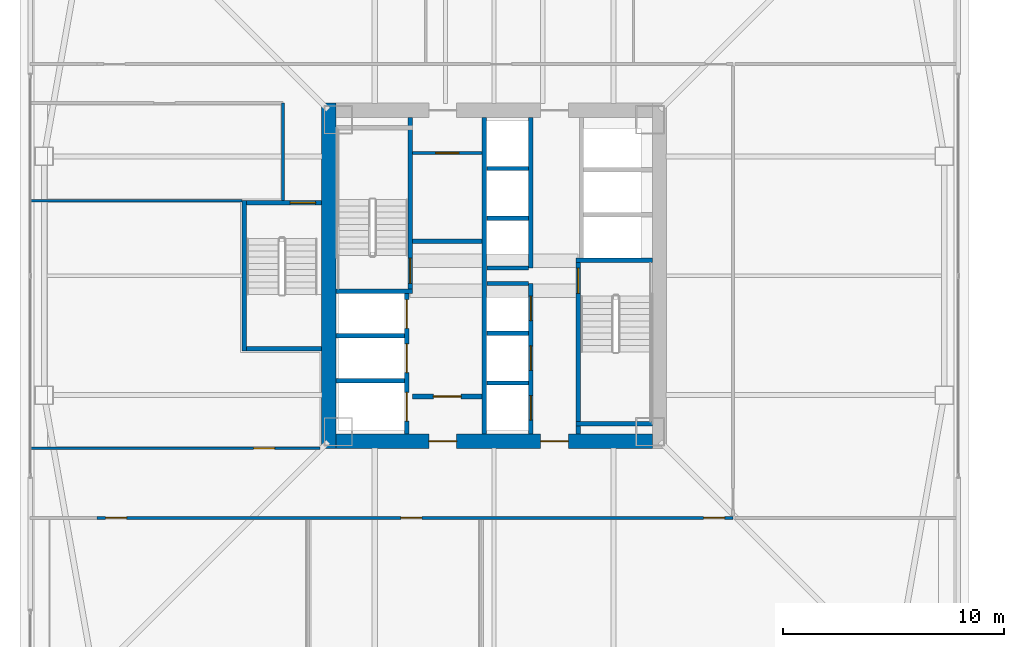
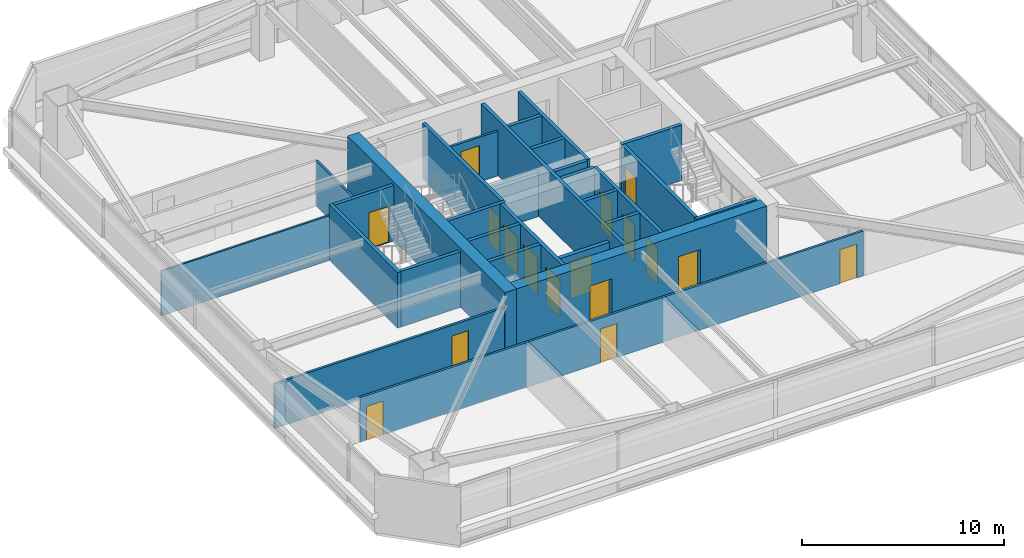
# One storey, part 38 of 48: 29 walls, 17 doors, 17 openings.
"""IFC4 building model written with IfcOpenShell, lengths in metres."""

from ifc_helpers import new_model, si_unit, direction, frame, frame_2d, origin, place, context, subcontext, project, spatial, rectangle, extrude, material, layer, layer_set, type_object, element, fill, save


model = new_model("IFC4")

# Units and contexts
model_context = context("Model", 3, precision=1e-05, world=origin(), true_north=direction((0.0, 1.0)))
body_context = subcontext(model_context, "Body", "Model", "MODEL_VIEW")
ifc_project = project(units=[si_unit("LENGTHUNIT", "METRE"), si_unit("AREAUNIT", "SQUARE_METRE"), si_unit("VOLUMEUNIT", "CUBIC_METRE"), si_unit("PLANEANGLEUNIT", "RADIAN"), si_unit("MASSUNIT", "GRAM", prefix="KILO")], contexts=[model_context])

# Site, building, storey
site_placement = place(None, origin())
site = spatial("IfcSite", under=ifc_project, at=site_placement, CompositionType="ELEMENT")
building_placement = place(site_placement, origin())
building = spatial("IfcBuilding", under=site, at=building_placement, Name="Tashvorn Skyway Center", CompositionType="ELEMENT")
storey_placement = place(building_placement, frame((0.0, 0.0, 77.85009765625)))
storey = spatial("IfcBuildingStorey", under=building, at=storey_placement, Name="L20", CompositionType="ELEMENT", Elevation=77.85009765625)

# Wall
ifc_material_1 = material(Name="Concrete C60/75", Category="concrete")
ifc_layer_1 = layer(ifc_material_1, 0.64990234375)
ifc_layer_set_1 = layer_set([ifc_layer_1], Name="Concrete C60/75")
wall_type_1 = type_object("IfcWallType", Name="WALL-CORE-650", PredefinedType="SHEAR", material=ifc_layer_set_1)
wall_1_placement = place(storey_placement, frame((34.52490234375, 24.199951171875, 0.0), z_axis=(0.0, 0.0, 1.0), x_axis=(0.0, 1.0, 0.0)))
element("IfcWall", 1, at=wall_1_placement, inside=storey, type_object=wall_type_1, Name="Tower 1 L20 West Core Shear Wall", PredefinedType="SHEAR", context=body_context, shape_type="SweptSolid", body=[
    extrude(rectangle(XDim=15.60009765625, YDim=0.64990234375, at=frame_2d((7.800048828125, 0.0))), origin(), (0.0, 0.0, 1.0), 3.5498046875),
])

# Wall, openings, doors
wall_2_placement = place(storey_placement, frame((49.14990234375, 24.52490234375, 0.0), z_axis=(0.0, 0.0, 1.0), x_axis=(-1.0, 0.0, 0.0)))
wall_2 = element("IfcWall", 2, at=wall_2_placement, inside=storey, type_object=wall_type_1, Name="Tower 1 L20 South Core Shear Wall", PredefinedType="SHEAR", context=body_context, shape_type="SweptSolid", body=[
    extrude(rectangle(XDim=14.2998046875, YDim=0.64990234375, at=frame_2d((7.14990234375, 0.0))), origin(), (0.0, 0.0, 1.0), 3.5498046875),
])
opening_1_placement = place(wall_2_placement, frame((8.85009765625, 0.0, 0.0)))
opening_1 = element("IfcOpeningElement", 3, at=opening_1_placement, cuts=wall_2, Name="Opening D-FFL-1250", PredefinedType="OPENING", context=body_context, shape_type="SweptSolid", body=[
    extrude(rectangle(XDim=1.25, YDim=2.25, at=frame_2d((0.625, 1.125))), frame((0.0, 0.3349609375, 0.0), z_axis=(0.0, -1.0, 0.0), x_axis=(1.0, 0.0, 0.0)), (0.0, 0.0, 1.0), 0.669921875),
])
opening_2_placement = place(wall_2_placement, frame((3.800048828125, 0.0, 0.0)))
opening_2 = element("IfcOpeningElement", 4, at=opening_2_placement, cuts=wall_2, Name="Opening D-FFL-1250", PredefinedType="OPENING", context=body_context, shape_type="SweptSolid", body=[
    extrude(rectangle(XDim=1.25, YDim=2.25, at=frame_2d((0.625, 1.125))), frame((0.0, 0.3349609375, 0.0), z_axis=(0.0, -1.0, 0.0), x_axis=(1.0, 0.0, 0.0)), (0.0, 0.0, 1.0), 0.669921875),
])
ifc_material_2 = material(Name="Hollow galvanized steel fire door assembly", Category="steel")
door_type_1 = type_object("IfcDoorType", Name="DOOR-FFL-1250", OperationType="NOTDEFINED", PredefinedType="DOOR", material=ifc_material_2)
door_1_placement = place(opening_1_placement, origin())
door_1 = element("IfcDoor", 5, at=door_1_placement, inside=storey, type_object=door_type_1, Name="Tower 1 L20 Core South Firefighting Exit Door", OperationType="SINGLE_SWING_LEFT", OverallHeight=2.25, OverallWidth=1.25, PredefinedType="DOOR", context=body_context, shape_type="SweptSolid", body=[
    extrude(rectangle(XDim=1.25, YDim=2.25, at=frame_2d((0.625, 1.125))), frame((0.0, 0.02490234375, 0.0), z_axis=(0.0, -1.0, 0.0), x_axis=(1.0, 0.0, 0.0)), (0.0, 0.0, 1.0), 0.050048828125),
])
fill(opening_1, door_1)
door_2_placement = place(opening_2_placement, origin())
door_2 = element("IfcDoor", 6, at=door_2_placement, inside=storey, type_object=door_type_1, Name="Tower 1 L20 Core South Lift Lobby Door", OperationType="SINGLE_SWING_RIGHT", OverallHeight=2.25, OverallWidth=1.25, PredefinedType="DOOR", context=body_context, shape_type="SweptSolid", body=[
    extrude(rectangle(XDim=1.25, YDim=2.25, at=frame_2d((0.625, 1.125))), frame((0.0, 0.02490234375, 0.0), z_axis=(0.0, -1.0, 0.0), x_axis=(1.0, 0.0, 0.0)), (0.0, 0.0, 1.0), 0.050048828125),
])
fill(opening_2, door_2)

# Wall
ifc_material_3 = material(Name="Concrete C40/50", Category="concrete")
ifc_layer_2 = layer(ifc_material_3, 0.219970703125)
ifc_layer_set_2 = layer_set([ifc_layer_2], Name="Concrete C40/50")
wall_type_2 = type_object("IfcWallType", Name="WALL-FFL-220", PredefinedType="SOLIDWALL", material=ifc_layer_set_2)
wall_3_placement = place(storey_placement, frame((38.300048828125, 33.56005859375, 0.0), z_axis=(0.0, 0.0, 1.0), x_axis=(1.0, 0.0, 0.0)))
element("IfcWall", 7, at=wall_3_placement, inside=storey, type_object=wall_type_2, Name="Tower 1 L20 Firefighting Lobby North Wall", PredefinedType="SOLIDWALL", context=body_context, shape_type="SweptSolid", body=[
    extrude(rectangle(XDim=3.14990234375, YDim=0.219970703125, at=frame_2d((1.574951171875, 0.0))), origin(), (0.0, 0.0, 1.0), 2.702880859375),
])

# Wall, opening, door
wall_4_placement = place(storey_placement, frame((38.300048828125, 26.5400390625, 0.0), z_axis=(0.0, 0.0, 1.0), x_axis=(1.0, 0.0, 0.0)))
wall_4 = element("IfcWall", 8, at=wall_4_placement, inside=storey, type_object=wall_type_2, Name="Tower 1 L20 Firefighting Lobby South Wall", PredefinedType="SOLIDWALL", context=body_context, shape_type="SweptSolid", body=[
    extrude(rectangle(XDim=3.14990234375, YDim=0.219970703125, at=frame_2d((1.574951171875, 0.0))), origin(), (0.0, 0.0, 1.0), 2.702880859375),
])
opening_3_placement = place(wall_4_placement, frame((0.949951171875, 0.0, 0.0)))
opening_3 = element("IfcOpeningElement", 9, at=opening_3_placement, cuts=wall_4, Name="Opening D-FFL-1250", PredefinedType="OPENING", context=body_context, shape_type="SweptSolid", body=[
    extrude(rectangle(XDim=1.25, YDim=2.25, at=frame_2d((0.625, 1.125))), frame((0.0, 0.119873046875, 0.0), z_axis=(0.0, -1.0, 0.0), x_axis=(1.0, 0.0, 0.0)), (0.0, 0.0, 1.0), 0.239990234375),
])
door_3_placement = place(opening_3_placement, origin())
door_3 = element("IfcDoor", 10, at=door_3_placement, inside=storey, type_object=door_type_1, Name="Tower 1 L20 Firefighting Lobby Egress Door", OperationType="SINGLE_SWING_LEFT", OverallHeight=2.25, OverallWidth=1.25, PredefinedType="DOOR", context=body_context, shape_type="SweptSolid", body=[
    extrude(rectangle(XDim=1.25, YDim=2.25, at=frame_2d((0.625, 1.125))), frame((0.0, 0.02490234375, 0.0), z_axis=(0.0, -1.0, 0.0), x_axis=(1.0, 0.0, 0.0)), (0.0, 0.0, 1.0), 0.050048828125),
])
fill(opening_3, door_3)

# Walls
ifc_material_4 = material(Name="Gypsum board on cold-formed steel stud framing", Category="steel")
ifc_layer_3 = layer(ifc_material_4, 0.110107421875)
ifc_layer_set_3 = layer_set([ifc_layer_3], Name="Gypsum board on cold-formed steel stud framing")
wall_type_3 = type_object("IfcWallType", Name="WALL-PART-110", PredefinedType="PARTITIONING", material=ifc_layer_set_3)
wall_5_placement = place(storey_placement, frame((30.60009765625, 35.39990234375, 0.0), z_axis=(0.0, 0.0, 1.0), x_axis=(-1.0, 0.0, 0.0)))
element("IfcWall", 11, at=wall_5_placement, inside=storey, type_object=wall_type_3, Name="Tower 1 L20 West Suite Partition 1", PredefinedType="PARTITIONING", context=body_context, shape_type="SweptSolid", body=[
    extrude(rectangle(XDim=9.580078125, YDim=0.110107421875, at=frame_2d((4.7900390625, 0.0))), origin(), (0.0, 0.0, 1.0), 2.702880859375),
])
ifc_layer_4 = layer(ifc_material_4, 0.135009765625)
ifc_layer_set_4 = layer_set([ifc_layer_4], Name="Gypsum board on cold-formed steel stud framing")
wall_type_4 = type_object("IfcWallType", Name="WALL-PART-135", PredefinedType="PARTITIONING", material=ifc_layer_set_4)
wall_6_placement = place(storey_placement, frame((32.449951171875, 35.39990234375, 0.0), z_axis=(0.0, 0.0, 1.0), x_axis=(0.0, 1.0, 0.0)))
element("IfcWall", 12, at=wall_6_placement, inside=storey, type_object=wall_type_4, Name="Tower 1 L20 Stair 3 Access Corridor Wall", PredefinedType="PARTITIONING", context=body_context, shape_type="SweptSolid", body=[
    extrude(rectangle(XDim=4.400146484375, YDim=0.135009765625, at=frame_2d((2.2001953125, 0.0))), origin(), (0.0, 0.0, 1.0), 2.702880859375),
])

# Wall, openings, doors
wall_7_placement = place(storey_placement, frame((52.800048828125, 21.050048828125, 0.0), z_axis=(0.0, 0.0, 1.0), x_axis=(-1.0, 0.0, 0.0)))
wall_7 = element("IfcWall", 13, at=wall_7_placement, inside=storey, type_object=wall_type_4, Name="Tower 1 L20 South Suite Wall", PredefinedType="PARTITIONING", context=body_context, shape_type="SweptSolid", body=[
    extrude(rectangle(XDim=28.75, YDim=0.135009765625, at=frame_2d((14.375, 0.0))), origin(), (0.0, 0.0, 1.0), 2.702880859375),
])
opening_4_placement = place(wall_7_placement, frame((27.419921875, 0.0, 0.0)))
opening_4 = element("IfcOpeningElement", 14, at=opening_4_placement, cuts=wall_7, Name="Opening D-INT-950", PredefinedType="OPENING", context=body_context, shape_type="SweptSolid", body=[
    extrude(rectangle(XDim=0.949951171875, YDim=2.050048828125, at=frame_2d((0.47509765625, 1.02490234375))), frame((0.0, 0.077392578125, 0.0), z_axis=(0.0, -1.0, 0.0), x_axis=(1.0, 0.0, 0.0)), (0.0, 0.0, 1.0), 0.155029296875),
])
opening_5_placement = place(wall_7_placement, frame((14.063720703125, 0.0, 0.0)))
opening_5 = element("IfcOpeningElement", 15, at=opening_5_placement, cuts=wall_7, Name="Opening D-INT-950", PredefinedType="OPENING", context=body_context, shape_type="SweptSolid", body=[
    extrude(rectangle(XDim=0.949951171875, YDim=2.050048828125, at=frame_2d((0.47509765625, 1.02490234375))), frame((0.0, 0.077392578125, 0.0), z_axis=(0.0, -1.0, 0.0), x_axis=(1.0, 0.0, 0.0)), (0.0, 0.0, 1.0), 0.155029296875),
])
opening_6_placement = place(wall_7_placement, frame((0.3798828125, 0.0, 0.0)))
opening_6 = element("IfcOpeningElement", 16, at=opening_6_placement, cuts=wall_7, Name="Opening D-INT-950", PredefinedType="OPENING", context=body_context, shape_type="SweptSolid", body=[
    extrude(rectangle(XDim=0.949951171875, YDim=2.050048828125, at=frame_2d((0.47509765625, 1.02490234375))), frame((0.0, 0.077392578125, 0.0), z_axis=(0.0, -1.0, 0.0), x_axis=(1.0, 0.0, 0.0)), (0.0, 0.0, 1.0), 0.155029296875),
])
ifc_material_5 = material(Name="Solid-core architectural oak veneer door")
door_type_2 = type_object("IfcDoorType", Name="DOOR-INT-950", OperationType="NOTDEFINED", PredefinedType="DOOR", material=ifc_material_5)
door_4_placement = place(opening_4_placement, origin())
door_4 = element("IfcDoor", 17, at=door_4_placement, inside=storey, type_object=door_type_2, Name="Tower 1 L20 Operations Control Room Door", OperationType="SINGLE_SWING_RIGHT", OverallHeight=2.050048828125, OverallWidth=0.949951171875, PredefinedType="DOOR", context=body_context, shape_type="SweptSolid", body=[
    extrude(rectangle(XDim=0.949951171875, YDim=2.050048828125, at=frame_2d((0.47509765625, 1.02490234375))), frame((0.0, 0.02490234375, 0.0), z_axis=(0.0, -1.0, 0.0), x_axis=(1.0, 0.0, 0.0)), (0.0, 0.0, 1.0), 0.050048828125),
])
fill(opening_4, door_4)
door_5_placement = place(opening_5_placement, origin())
door_5 = element("IfcDoor", 18, at=door_5_placement, inside=storey, type_object=door_type_2, Name="Tower 1 L20 Corporate Office Door", OperationType="SINGLE_SWING_LEFT", OverallHeight=2.050048828125, OverallWidth=0.949951171875, PredefinedType="DOOR", context=body_context, shape_type="SweptSolid", body=[
    extrude(rectangle(XDim=0.949951171875, YDim=2.050048828125, at=frame_2d((0.47509765625, 1.02490234375))), frame((0.0, 0.02490234375, 0.0), z_axis=(0.0, -1.0, 0.0), x_axis=(1.0, 0.0, 0.0)), (0.0, 0.0, 1.0), 0.050048828125),
])
fill(opening_5, door_5)
door_6_placement = place(opening_6_placement, origin())
door_6 = element("IfcDoor", 19, at=door_6_placement, inside=storey, type_object=door_type_2, Name="Tower 1 L20 Corporate Office Door", OperationType="SINGLE_SWING_RIGHT", OverallHeight=2.050048828125, OverallWidth=0.949951171875, PredefinedType="DOOR", context=body_context, shape_type="SweptSolid", body=[
    extrude(rectangle(XDim=0.949951171875, YDim=2.050048828125, at=frame_2d((0.47509765625, 1.02490234375))), frame((0.0, 0.02490234375, 0.0), z_axis=(0.0, -1.0, 0.0), x_axis=(1.0, 0.0, 0.0)), (0.0, 0.0, 1.0), 0.050048828125),
])
fill(opening_6, door_6)

# Wall, opening, door
wall_8_placement = place(storey_placement, frame((21.02001953125, 24.199951171875, 0.0), z_axis=(0.0, 0.0, 1.0), x_axis=(1.0, 0.0, 0.0)))
wall_8 = element("IfcWall", 20, at=wall_8_placement, inside=storey, type_object=wall_type_4, Name="Tower 1 L20 West Suite South Wall", PredefinedType="PARTITIONING", context=body_context, shape_type="SweptSolid", body=[
    extrude(rectangle(XDim=13.10009765625, YDim=0.135009765625, at=frame_2d((6.550048828125, 0.0))), origin(), (0.0, 0.0, 1.0), 2.702880859375),
])
opening_7_placement = place(wall_8_placement, frame((10.10498046875, 0.0, 0.0)))
opening_7 = element("IfcOpeningElement", 21, at=opening_7_placement, cuts=wall_8, Name="Opening D-INT-950", PredefinedType="OPENING", context=body_context, shape_type="SweptSolid", body=[
    extrude(rectangle(XDim=0.949951171875, YDim=2.050048828125, at=frame_2d((0.47509765625, 1.02490234375))), frame((0.0, 0.077392578125, 0.0), z_axis=(0.0, -1.0, 0.0), x_axis=(1.0, 0.0, 0.0)), (0.0, 0.0, 1.0), 0.155029296875),
])
door_7_placement = place(opening_7_placement, origin())
door_7 = element("IfcDoor", 22, at=door_7_placement, inside=storey, type_object=door_type_2, Name="Tower 1 L20 Public Restroom Door", OperationType="SINGLE_SWING_LEFT", OverallHeight=2.050048828125, OverallWidth=0.949951171875, PredefinedType="DOOR", context=body_context, shape_type="SweptSolid", body=[
    extrude(rectangle(XDim=0.949951171875, YDim=2.050048828125, at=frame_2d((0.47509765625, 1.02490234375))), frame((0.0, 0.02490234375, 0.0), z_axis=(0.0, -1.0, 0.0), x_axis=(1.0, 0.0, 0.0)), (0.0, 0.0, 1.0), 0.050048828125),
])
fill(opening_7, door_7)

ifc_layer_5 = layer(ifc_material_4, 0.135009765625)
ifc_layer_set_5 = layer_set([ifc_layer_5], Name="Gypsum board on cold-formed steel stud framing")
wall_type_5 = type_object("IfcWallType", Name="WALL-RATED-135", PredefinedType="PARTITIONING", material=ifc_layer_set_5)
wall_9_placement = place(storey_placement, frame((38.300048828125, 37.550048828125, 0.0), z_axis=(0.0, 0.0, 1.0), x_axis=(1.0, 0.0, 0.0)))
wall_9 = element("IfcWall", 23, at=wall_9_placement, inside=storey, type_object=wall_type_5, Name="Tower 1 L20 Core Service Lobby Wall", PredefinedType="PARTITIONING", context=body_context, shape_type="SweptSolid", body=[
    extrude(rectangle(XDim=3.14990234375, YDim=0.135009765625, at=frame_2d((1.574951171875, 0.0))), origin(), (0.0, 0.0, 1.0), 2.702880859375),
])
opening_8_placement = place(wall_9_placement, frame((1.050048828125, 0.0, 0.0)))
opening_8 = element("IfcOpeningElement", 24, at=opening_8_placement, cuts=wall_9, Name="Opening D-RT-1050", PredefinedType="OPENING", context=body_context, shape_type="SweptSolid", body=[
    extrude(rectangle(XDim=1.050048828125, YDim=2.199951171875, at=frame_2d((0.52490234375, 1.10009765625))), frame((0.0, 0.077392578125, 0.0), z_axis=(0.0, -1.0, 0.0), x_axis=(1.0, 0.0, 0.0)), (0.0, 0.0, 1.0), 0.155029296875),
])
door_type_3 = type_object("IfcDoorType", Name="DOOR-RATED-1050", OperationType="NOTDEFINED", PredefinedType="DOOR", material=ifc_material_2)
door_8_placement = place(opening_8_placement, origin())
door_8 = element("IfcDoor", 25, at=door_8_placement, inside=storey, type_object=door_type_3, Name="Tower 1 L20 Core Accessible WC Door", OperationType="SINGLE_SWING_LEFT", OverallHeight=2.199951171875, OverallWidth=1.050048828125, PredefinedType="DOOR", context=body_context, shape_type="SweptSolid", body=[
    extrude(rectangle(XDim=1.050048828125, YDim=2.199951171875, at=frame_2d((0.52490234375, 1.10009765625))), frame((0.0, 0.02490234375, 0.0), z_axis=(0.0, -1.0, 0.0), x_axis=(1.0, 0.0, 0.0)), (0.0, 0.0, 1.0), 0.050048828125),
])
fill(opening_8, door_8)

# Walls
ifc_layer_6 = layer(ifc_material_3, 0.199951171875)
ifc_layer_set_6 = layer_set([ifc_layer_6], Name="Concrete C40/50")
wall_type_6 = type_object("IfcWallType", Name="WALL-SHAFT-200", PredefinedType="SOLIDWALL", material=ifc_layer_set_6)
for number, where, z_axis, x_axis, name in (
    (26, (34.85009765625, 27.25, 0.0), (0.0, 0.0, 1.0), (1.0, 0.0, 0.0), "Tower 1 L20 FSAE Shaft Divider"),
    (27, (34.85009765625, 29.280029296875, 0.0), (0.0, 0.0, 1.0), (1.0, 0.0, 0.0), "Tower 1 L20 FSAE Shaft Divider"),
):
    element("IfcWall", number, at=place(storey_placement, frame(where, z_axis=z_axis, x_axis=x_axis)), inside=storey, type_object=wall_type_6, Name=name, PredefinedType="SOLIDWALL", context=body_context, shape_type="SweptSolid", body=[
        extrude(rectangle(XDim=3.099853515625, YDim=0.199951171875, at=frame_2d((1.5498046875, 0.0))), origin(), (0.0, 0.0, 1.0), 3.349853515625),
    ])

# Wall, openings, doors
wall_10_placement = place(storey_placement, frame((43.64990234375, 24.85009765625, 0.0), z_axis=(0.0, 0.0, 1.0), x_axis=(0.0, 1.0, 0.0)))
wall_10 = element("IfcWall", 28, at=wall_10_placement, inside=storey, type_object=wall_type_6, Name="Tower 1 L20 Low-Rise Core Wall", PredefinedType="SOLIDWALL", context=body_context, shape_type="SweptSolid", body=[
    extrude(rectangle(XDim=6.7998046875, YDim=0.199951171875, at=frame_2d((3.39990234375, 0.0))), origin(), (0.0, 0.0, 1.0), 3.349853515625),
])
opening_9_placement = place(wall_10_placement, frame((0.625, 0.0, 0.0)))
opening_9 = element("IfcOpeningElement", 29, at=opening_9_placement, cuts=wall_10, Name="Opening LD-LR-T1-1-L20", PredefinedType="OPENING", context=body_context, shape_type="SweptSolid", body=[
    extrude(rectangle(XDim=1.10009765625, YDim=2.199951171875, at=frame_2d((0.550048828125, 1.10009765625))), frame((0.0, 0.10986328125, 0.0), z_axis=(0.0, -1.0, 0.0), x_axis=(1.0, 0.0, 0.0)), (0.0, 0.0, 1.0), 0.219970703125),
])
opening_10_placement = place(wall_10_placement, frame((2.875, 0.0, 0.0)))
opening_10 = element("IfcOpeningElement", 30, at=opening_10_placement, cuts=wall_10, Name="Opening LD-LR-T1-2-L20", PredefinedType="OPENING", context=body_context, shape_type="SweptSolid", body=[
    extrude(rectangle(XDim=1.10009765625, YDim=2.199951171875, at=frame_2d((0.550048828125, 1.10009765625))), frame((0.0, 0.10986328125, 0.0), z_axis=(0.0, -1.0, 0.0), x_axis=(1.0, 0.0, 0.0)), (0.0, 0.0, 1.0), 0.219970703125),
])
opening_11_placement = place(wall_10_placement, frame((5.125, 0.0, 0.0)))
opening_11 = element("IfcOpeningElement", 31, at=opening_11_placement, cuts=wall_10, Name="Opening LD-LR-T1-3-L20", PredefinedType="OPENING", context=body_context, shape_type="SweptSolid", body=[
    extrude(rectangle(XDim=1.10009765625, YDim=2.199951171875, at=frame_2d((0.550048828125, 1.10009765625))), frame((0.0, 0.10986328125, 0.0), z_axis=(0.0, -1.0, 0.0), x_axis=(1.0, 0.0, 0.0)), (0.0, 0.0, 1.0), 0.219970703125),
])
ifc_material_6 = material(Name="Stainless steel landing door", Category="steel")
door_type_4 = type_object("IfcDoorType", Name="DOOR-LIFT-1100", OperationType="SLIDING_TO_LEFT", PredefinedType="DOOR", material=ifc_material_6)
door_9_placement = place(opening_9_placement, origin())
door_9 = element("IfcDoor", 32, at=door_9_placement, inside=storey, type_object=door_type_4, Name="Lift LR-T1-1 L20 Landing Door", OperationType="SLIDING_TO_LEFT", OverallHeight=2.199951171875, OverallWidth=1.10009765625, PredefinedType="DOOR", context=body_context, shape_type="SweptSolid", body=[
    extrude(rectangle(XDim=1.10009765625, YDim=2.199951171875, at=frame_2d((0.550048828125, 1.10009765625))), frame((0.0, 0.02490234375, 0.0), z_axis=(0.0, -1.0, 0.0), x_axis=(1.0, 0.0, 0.0)), (0.0, 0.0, 1.0), 0.050048828125),
])
fill(opening_9, door_9)
door_10_placement = place(opening_10_placement, origin())
door_10 = element("IfcDoor", 33, at=door_10_placement, inside=storey, type_object=door_type_4, Name="Lift LR-T1-2 L20 Landing Door", OperationType="SLIDING_TO_LEFT", OverallHeight=2.199951171875, OverallWidth=1.10009765625, PredefinedType="DOOR", context=body_context, shape_type="SweptSolid", body=[
    extrude(rectangle(XDim=1.10009765625, YDim=2.199951171875, at=frame_2d((0.550048828125, 1.10009765625))), frame((0.0, 0.02490234375, 0.0), z_axis=(0.0, -1.0, 0.0), x_axis=(1.0, 0.0, 0.0)), (0.0, 0.0, 1.0), 0.050048828125),
])
fill(opening_10, door_10)
door_11_placement = place(opening_11_placement, origin())
door_11 = element("IfcDoor", 34, at=door_11_placement, inside=storey, type_object=door_type_4, Name="Lift LR-T1-3 L20 Landing Door", OperationType="SLIDING_TO_LEFT", OverallHeight=2.199951171875, OverallWidth=1.10009765625, PredefinedType="DOOR", context=body_context, shape_type="SweptSolid", body=[
    extrude(rectangle(XDim=1.10009765625, YDim=2.199951171875, at=frame_2d((0.550048828125, 1.10009765625))), frame((0.0, 0.02490234375, 0.0), z_axis=(0.0, -1.0, 0.0), x_axis=(1.0, 0.0, 0.0)), (0.0, 0.0, 1.0), 0.050048828125),
])
fill(opening_11, door_11)

# Walls
for number, where, z_axis, x_axis, name in (
    (35, (41.669921875, 27.14990234375, 0.0), (0.0, 0.0, 1.0), (1.0, 0.0, 0.0), "Tower 1 L20 Low-Rise Shaft Divider"),
    (36, (41.669921875, 29.39990234375, 0.0), (0.0, 0.0, 1.0), (1.0, 0.0, 0.0), "Tower 1 L20 Low-Rise Shaft Divider"),
    (37, (41.669921875, 31.64990234375, 0.0), (0.0, 0.0, 1.0), (1.0, 0.0, 0.0), "Tower 1 L20 Low-Rise Shaft Divider"),
):
    element("IfcWall", number, at=place(storey_placement, frame(where, z_axis=z_axis, x_axis=x_axis)), inside=storey, type_object=wall_type_6, Name=name, PredefinedType="SOLIDWALL", context=body_context, shape_type="SweptSolid", body=[
        extrude(rectangle(XDim=1.880126953125, YDim=0.199951171875, at=frame_2d((0.93994140625, 0.0))), origin(), (0.0, 0.0, 1.0), 3.349853515625),
    ])
wall_11_placement = place(storey_placement, frame((43.64990234375, 32.35009765625, 0.0), z_axis=(0.0, 0.0, 1.0), x_axis=(0.0, 1.0, 0.0)))
element("IfcWall", 38, at=wall_11_placement, inside=storey, type_object=wall_type_6, Name="Tower 1 L20 Mid-Rise Core Wall", PredefinedType="SOLIDWALL", context=body_context, shape_type="SweptSolid", body=[
    extrude(rectangle(XDim=6.7998046875, YDim=0.199951171875, at=frame_2d((3.39990234375, 0.0))), origin(), (0.0, 0.0, 1.0), 3.349853515625),
])
for number, where, z_axis, x_axis, name in (
    (39, (41.669921875, 32.35009765625, 0.0), (0.0, 0.0, 1.0), (1.0, 0.0, 0.0), "Tower 1 L20 Mid-Rise Shaft Divider"),
    (40, (41.669921875, 34.60009765625, 0.0), (0.0, 0.0, 1.0), (1.0, 0.0, 0.0), "Tower 1 L20 Mid-Rise Shaft Divider"),
    (41, (41.669921875, 36.85009765625, 0.0), (0.0, 0.0, 1.0), (1.0, 0.0, 0.0), "Tower 1 L20 Mid-Rise Shaft Divider"),
):
    element("IfcWall", number, at=place(storey_placement, frame(where, z_axis=z_axis, x_axis=x_axis)), inside=storey, type_object=wall_type_6, Name=name, PredefinedType="SOLIDWALL", context=body_context, shape_type="SweptSolid", body=[
        extrude(rectangle(XDim=1.880126953125, YDim=0.199951171875, at=frame_2d((0.93994140625, 0.0))), origin(), (0.0, 0.0, 1.0), 3.349853515625),
    ])

# Wall, opening, door
ifc_layer_7 = layer(ifc_material_3, 0.199951171875)
ifc_layer_set_7 = layer_set([ifc_layer_7], Name="Concrete C40/50")
wall_type_7 = type_object("IfcWallType", Name="WALL-STSHF-200", PredefinedType="SHEAR", material=ifc_layer_set_7)
wall_12_placement = place(storey_placement, frame((38.199951171875, 31.199951171875, 0.0), z_axis=(0.0, 0.0, 1.0), x_axis=(0.0, 1.0, 0.0)))
wall_12 = element("IfcWall", 42, at=wall_12_placement, inside=storey, type_object=wall_type_7, Name="Tower 1 L20 Stair 1 Enclosure Wall", PredefinedType="SHEAR", context=body_context, shape_type="SweptSolid", body=[
    extrude(rectangle(XDim=7.949951171875, YDim=0.199951171875, at=frame_2d((3.97509765625, 0.0))), origin(), (0.0, 0.0, 1.0), 3.349853515625),
])
opening_12_placement = place(wall_12_placement, frame((0.449951171875, 0.0, 0.0)))
opening_12 = element("IfcOpeningElement", 43, at=opening_12_placement, cuts=wall_12, Name="Opening D-ST-1150", PredefinedType="OPENING", context=body_context, shape_type="SweptSolid", body=[
    extrude(rectangle(XDim=1.14990234375, YDim=2.199951171875, at=frame_2d((0.574951171875, 1.10009765625))), frame((0.0, 0.10986328125, 0.0), z_axis=(0.0, -1.0, 0.0), x_axis=(1.0, 0.0, 0.0)), (0.0, 0.0, 1.0), 0.219970703125),
])
door_type_5 = type_object("IfcDoorType", Name="DOOR-STAIR-1150", OperationType="NOTDEFINED", PredefinedType="DOOR", material=ifc_material_2)
door_12_placement = place(opening_12_placement, origin())
door_12 = element("IfcDoor", 44, at=door_12_placement, inside=storey, type_object=door_type_5, Name="Tower 1 L20 Exit Stair 1 Door", OperationType="SINGLE_SWING_RIGHT", OverallHeight=2.199951171875, OverallWidth=1.14990234375, PredefinedType="DOOR", context=body_context, shape_type="SweptSolid", body=[
    extrude(rectangle(XDim=1.14990234375, YDim=2.199951171875, at=frame_2d((0.574951171875, 1.10009765625))), frame((0.0, 0.02490234375, 0.0), z_axis=(0.0, -1.0, 0.0), x_axis=(1.0, 0.0, 0.0)), (0.0, 0.0, 1.0), 0.050048828125),
])
fill(opening_12, door_12)

# Wall
wall_13_placement = place(storey_placement, frame((34.85009765625, 31.300048828125, 0.0), z_axis=(0.0, 0.0, 1.0), x_axis=(1.0, 0.0, 0.0)))
element("IfcWall", 45, at=wall_13_placement, inside=storey, type_object=wall_type_7, Name="Tower 1 L20 Stair 1 South Wall", PredefinedType="SHEAR", context=body_context, shape_type="SweptSolid", body=[
    extrude(rectangle(XDim=3.449951171875, YDim=0.199951171875, at=frame_2d((1.72509765625, 0.0))), origin(), (0.0, 0.0, 1.0), 3.349853515625),
])

# Wall, opening, door
wall_14_placement = place(storey_placement, frame((45.800048828125, 32.800048828125, 0.0), z_axis=(0.0, 0.0, 1.0), x_axis=(0.0, -1.0, 0.0)))
wall_14 = element("IfcWall", 46, at=wall_14_placement, inside=storey, type_object=wall_type_7, Name="Tower 1 L20 Stair 2 Enclosure Wall", PredefinedType="SHEAR", context=body_context, shape_type="SweptSolid", body=[
    extrude(rectangle(XDim=7.949951171875, YDim=0.199951171875, at=frame_2d((3.97509765625, 0.0))), origin(), (0.0, 0.0, 1.0), 3.349853515625),
])
opening_13_placement = place(wall_14_placement, frame((0.449951171875, 0.0, 0.0)))
opening_13 = element("IfcOpeningElement", 47, at=opening_13_placement, cuts=wall_14, Name="Opening D-ST-1150", PredefinedType="OPENING", context=body_context, shape_type="SweptSolid", body=[
    extrude(rectangle(XDim=1.14990234375, YDim=2.199951171875, at=frame_2d((0.574951171875, 1.10009765625))), frame((0.0, 0.10986328125, 0.0), z_axis=(0.0, -1.0, 0.0), x_axis=(1.0, 0.0, 0.0)), (0.0, 0.0, 1.0), 0.219970703125),
])
door_13_placement = place(opening_13_placement, origin())
door_13 = element("IfcDoor", 48, at=door_13_placement, inside=storey, type_object=door_type_5, Name="Tower 1 L20 Exit Stair 2 Door", OperationType="SINGLE_SWING_RIGHT", OverallHeight=2.199951171875, OverallWidth=1.14990234375, PredefinedType="DOOR", context=body_context, shape_type="SweptSolid", body=[
    extrude(rectangle(XDim=1.14990234375, YDim=2.199951171875, at=frame_2d((0.574951171875, 1.10009765625))), frame((0.0, 0.02490234375, 0.0), z_axis=(0.0, -1.0, 0.0), x_axis=(1.0, 0.0, 0.0)), (0.0, 0.0, 1.0), 0.050048828125),
])
fill(opening_13, door_13)

# Walls
for number, where, z_axis, x_axis, name in (
    (49, (45.699951171875, 32.699951171875, 0.0), (0.0, 0.0, 1.0), (1.0, 0.0, 0.0), "Tower 1 L20 Stair 2 North Wall"),
    (50, (45.699951171875, 25.300048828125, 0.0), (0.0, 0.0, 1.0), (1.0, 0.0, 0.0), "Tower 1 L20 Stair 2 South Wall"),
):
    element("IfcWall", number, at=place(storey_placement, frame(where, z_axis=z_axis, x_axis=x_axis)), inside=storey, type_object=wall_type_7, Name=name, PredefinedType="SHEAR", context=body_context, shape_type="SweptSolid", body=[
        extrude(rectangle(XDim=3.449951171875, YDim=0.199951171875, at=frame_2d((1.72509765625, 0.0))), origin(), (0.0, 0.0, 1.0), 3.349853515625),
    ])
wall_15_placement = place(storey_placement, frame((41.56005859375, 24.85009765625, 0.0), z_axis=(0.0, 0.0, 1.0), x_axis=(0.0, 1.0, 0.0)))
element("IfcWall", 51, at=wall_15_placement, inside=storey, type_object=wall_type_7, Name="Tower 1 L20 Firefighting Lobby East Smoke Barrier", PredefinedType="SHEAR", context=body_context, shape_type="SweptSolid", body=[
    extrude(rectangle(XDim=14.2998046875, YDim=0.199951171875, at=frame_2d((7.14990234375, 0.0))), origin(), (0.0, 0.0, 1.0), 3.349853515625),
])

# Wall, openings, doors
wall_16_placement = place(storey_placement, frame((38.050048828125, 24.85009765625, 0.0), z_axis=(0.0, 0.0, 1.0), x_axis=(0.0, 1.0, 0.0)))
wall_16 = element("IfcWall", 52, at=wall_16_placement, inside=storey, type_object=wall_type_7, Name="Tower 1 L20 FSAE and Goods Shaft Front Wall", PredefinedType="SHEAR", context=body_context, shape_type="SweptSolid", body=[
    extrude(rectangle(XDim=6.349853515625, YDim=0.199951171875, at=frame_2d((3.1748046875, 0.0))), origin(), (0.0, 0.0, 1.0), 3.349853515625),
])
opening_14_placement = place(wall_16_placement, frame((4.77490234375, 0.0, 0.0)))
opening_14 = element("IfcOpeningElement", 53, at=opening_14_placement, cuts=wall_16, Name="Opening LD-FF-T1-1-L20", PredefinedType="OPENING", context=body_context, shape_type="SweptSolid", body=[
    extrude(rectangle(XDim=1.300048828125, YDim=2.25, at=frame_2d((0.64990234375, 1.125))), frame((0.0, 0.10986328125, 0.0), z_axis=(0.0, -1.0, 0.0), x_axis=(1.0, 0.0, 0.0)), (0.0, 0.0, 1.0), 0.219970703125),
])
opening_15_placement = place(wall_16_placement, frame((2.77490234375, 0.0, 0.0)))
opening_15 = element("IfcOpeningElement", 54, at=opening_15_placement, cuts=wall_16, Name="Opening LD-FF-T1-2-L20", PredefinedType="OPENING", context=body_context, shape_type="SweptSolid", body=[
    extrude(rectangle(XDim=1.300048828125, YDim=2.25, at=frame_2d((0.64990234375, 1.125))), frame((0.0, 0.10986328125, 0.0), z_axis=(0.0, -1.0, 0.0), x_axis=(1.0, 0.0, 0.0)), (0.0, 0.0, 1.0), 0.219970703125),
])
opening_16_placement = place(wall_16_placement, frame((0.574951171875, 0.0, 0.0)))
opening_16 = element("IfcOpeningElement", 55, at=opening_16_placement, cuts=wall_16, Name="Opening LD-GD-T1-1-L20", PredefinedType="OPENING", context=body_context, shape_type="SweptSolid", body=[
    extrude(rectangle(XDim=1.300048828125, YDim=2.25, at=frame_2d((0.64990234375, 1.125))), frame((0.0, 0.10986328125, 0.0), z_axis=(0.0, -1.0, 0.0), x_axis=(1.0, 0.0, 0.0)), (0.0, 0.0, 1.0), 0.219970703125),
])
ifc_material_7 = material(Name="Stainless steel heavy-duty landing door", Category="steel")
door_type_6 = type_object("IfcDoorType", Name="DOOR-LIFT-1300", OperationType="SLIDING_TO_LEFT", PredefinedType="DOOR", material=ifc_material_7)
door_14_placement = place(opening_14_placement, origin())
door_14 = element("IfcDoor", 56, at=door_14_placement, inside=storey, type_object=door_type_6, Name="Lift FF-T1-1 L20 Landing Door", OperationType="SLIDING_TO_LEFT", OverallHeight=2.25, OverallWidth=1.300048828125, PredefinedType="DOOR", context=body_context, shape_type="SweptSolid", body=[
    extrude(rectangle(XDim=1.300048828125, YDim=2.25, at=frame_2d((0.64990234375, 1.125))), frame((0.0, 0.02490234375, 0.0), z_axis=(0.0, -1.0, 0.0), x_axis=(1.0, 0.0, 0.0)), (0.0, 0.0, 1.0), 0.050048828125),
])
fill(opening_14, door_14)
door_15_placement = place(opening_15_placement, origin())
door_15 = element("IfcDoor", 57, at=door_15_placement, inside=storey, type_object=door_type_6, Name="Lift FF-T1-2 L20 Landing Door", OperationType="SLIDING_TO_LEFT", OverallHeight=2.25, OverallWidth=1.300048828125, PredefinedType="DOOR", context=body_context, shape_type="SweptSolid", body=[
    extrude(rectangle(XDim=1.300048828125, YDim=2.25, at=frame_2d((0.64990234375, 1.125))), frame((0.0, 0.02490234375, 0.0), z_axis=(0.0, -1.0, 0.0), x_axis=(1.0, 0.0, 0.0)), (0.0, 0.0, 1.0), 0.050048828125),
])
fill(opening_15, door_15)
door_16_placement = place(opening_16_placement, origin())
door_16 = element("IfcDoor", 58, at=door_16_placement, inside=storey, type_object=door_type_6, Name="Lift GD-T1-1 L20 Landing Door", OperationType="SLIDING_TO_LEFT", OverallHeight=2.25, OverallWidth=1.300048828125, PredefinedType="DOOR", context=body_context, shape_type="SweptSolid", body=[
    extrude(rectangle(XDim=1.300048828125, YDim=2.25, at=frame_2d((0.64990234375, 1.125))), frame((0.0, 0.02490234375, 0.0), z_axis=(0.0, -1.0, 0.0), x_axis=(1.0, 0.0, 0.0)), (0.0, 0.0, 1.0), 0.050048828125),
])
fill(opening_16, door_16)

# Wall
wall_17_placement = place(storey_placement, frame((30.699951171875, 28.60009765625, 0.0), z_axis=(0.0, 0.0, 1.0), x_axis=(0.0, 1.0, 0.0)))
element("IfcWall", 59, at=wall_17_placement, inside=storey, type_object=wall_type_7, Name="Tower 1 L20 Stair 3 Outer Wall", PredefinedType="SHEAR", context=body_context, shape_type="SweptSolid", body=[
    extrude(rectangle(XDim=6.7998046875, YDim=0.199951171875, at=frame_2d((3.39990234375, 0.0))), origin(), (0.0, 0.0, 1.0), 3.349853515625),
])

# Wall, opening, door
wall_18_placement = place(storey_placement, frame((34.199951171875, 35.300048828125, 0.0), z_axis=(0.0, 0.0, 1.0), x_axis=(-1.0, 0.0, 0.0)))
wall_18 = element("IfcWall", 60, at=wall_18_placement, inside=storey, type_object=wall_type_7, Name="Tower 1 L20 Stair 3 Enclosure Wall", PredefinedType="SHEAR", context=body_context, shape_type="SweptSolid", body=[
    extrude(rectangle(XDim=3.39990234375, YDim=0.199951171875, at=frame_2d((1.699951171875, 0.0))), origin(), (0.0, 0.0, 1.0), 3.349853515625),
])
opening_17_placement = place(wall_18_placement, frame((0.27490234375, 0.0, 0.0)))
opening_17 = element("IfcOpeningElement", 61, at=opening_17_placement, cuts=wall_18, Name="Opening D-ST-1150", PredefinedType="OPENING", context=body_context, shape_type="SweptSolid", body=[
    extrude(rectangle(XDim=1.14990234375, YDim=2.199951171875, at=frame_2d((0.574951171875, 1.10009765625))), frame((0.0, 0.10986328125, 0.0), z_axis=(0.0, -1.0, 0.0), x_axis=(1.0, 0.0, 0.0)), (0.0, 0.0, 1.0), 0.219970703125),
])
door_17_placement = place(opening_17_placement, origin())
door_17 = element("IfcDoor", 62, at=door_17_placement, inside=storey, type_object=door_type_5, Name="Tower 1 L20 Exit Stair 3 Door", OperationType="SINGLE_SWING_RIGHT", OverallHeight=2.199951171875, OverallWidth=1.14990234375, PredefinedType="DOOR", context=body_context, shape_type="SweptSolid", body=[
    extrude(rectangle(XDim=1.14990234375, YDim=2.199951171875, at=frame_2d((0.574951171875, 1.10009765625))), frame((0.0, 0.02490234375, 0.0), z_axis=(0.0, -1.0, 0.0), x_axis=(1.0, 0.0, 0.0)), (0.0, 0.0, 1.0), 0.050048828125),
])
fill(opening_17, door_17)

# Wall
wall_19_placement = place(storey_placement, frame((30.800048828125, 28.699951171875, 0.0), z_axis=(0.0, 0.0, 1.0), x_axis=(1.0, 0.0, 0.0)))
element("IfcWall", 63, at=wall_19_placement, inside=storey, type_object=wall_type_7, Name="Tower 1 L20 Stair 3 South Wall", PredefinedType="SHEAR", context=body_context, shape_type="SweptSolid", body=[
    extrude(rectangle(XDim=3.39990234375, YDim=0.199951171875, at=frame_2d((1.699951171875, 0.0))), origin(), (0.0, 0.0, 1.0), 3.349853515625),
])

save(model, "model.ifc")
